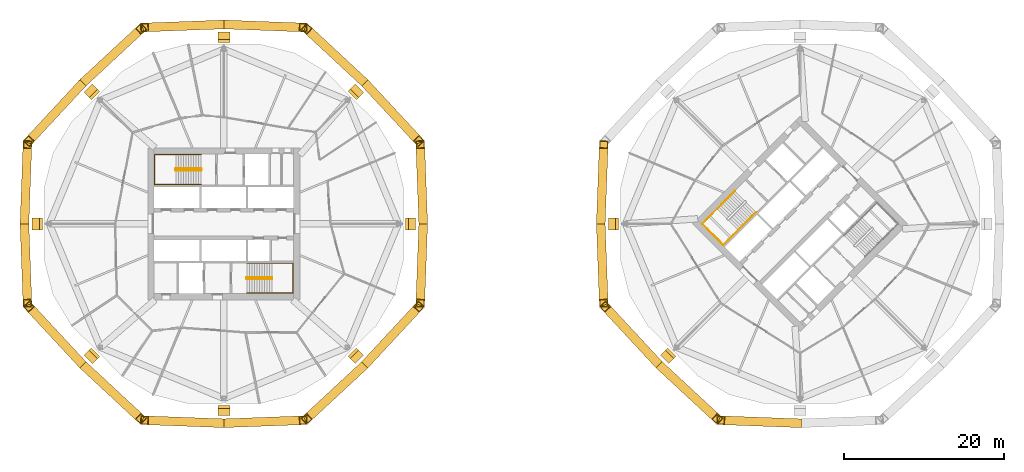
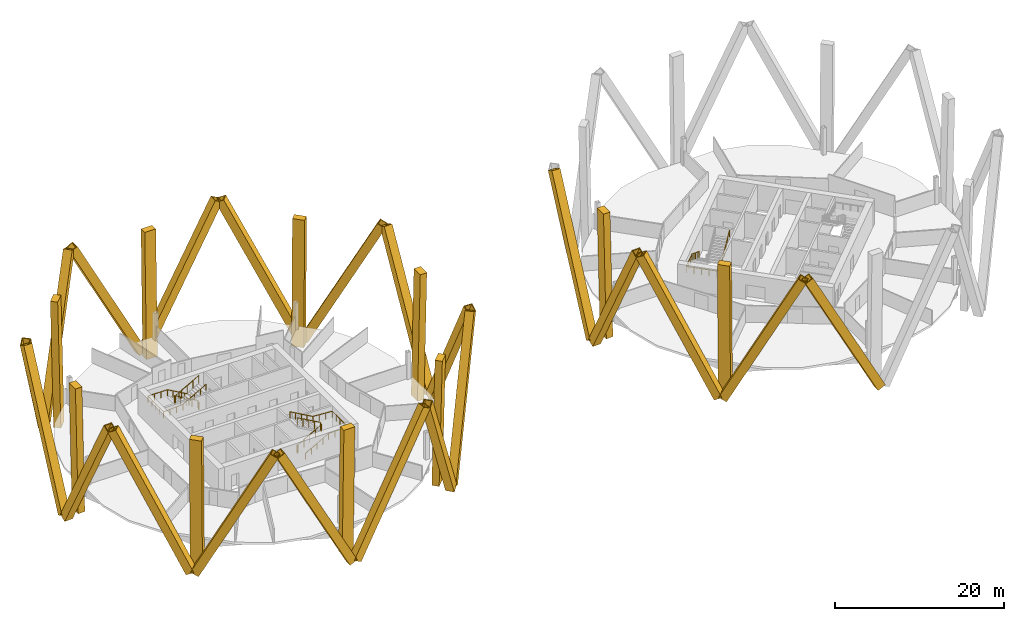
# One storey, part 9 of 10: 31 coverings, 5 railings.
"""IFC4 building model written with IfcOpenShell, lengths in metres."""

from ifc_helpers import new_model, si_unit, direction, frame, origin, origin_2d, place, context, subcontext, project, spatial, rectangle, hollow_rectangle, circle, extrude, material, material_profile, profile_set, type_object, element, save


model = new_model("IFC4")

# Units and contexts
model_context = context("Model", 3, precision=1e-05, world=origin(), true_north=direction((0.0, 1.0)))
body_context = subcontext(model_context, "Body", "Model", "MODEL_VIEW")
ifc_project = project(units=[si_unit("LENGTHUNIT", "METRE"), si_unit("AREAUNIT", "SQUARE_METRE"), si_unit("VOLUMEUNIT", "CUBIC_METRE"), si_unit("PLANEANGLEUNIT", "RADIAN"), si_unit("MASSUNIT", "GRAM", prefix="KILO")], contexts=[model_context])

# Site, building, storey
site_placement = place(None, origin())
site = spatial("IfcSite", under=ifc_project, at=site_placement, CompositionType="ELEMENT")
building_placement = place(site_placement, origin())
building = spatial("IfcBuilding", under=site, at=building_placement, Name="Ogive Gate Towers", CompositionType="ELEMENT")
storey_placement = place(building_placement, frame((0.0, 0.0, 36.300048828125)))
storey = spatial("IfcBuildingStorey", under=building, at=storey_placement, Name="L07", CompositionType="ELEMENT", Elevation=36.300048828125)

# Coverings
ifc_material_1 = material(Name="Pale metal aluminium", Category="aluminium")
ifc_material_profile_1 = material_profile(ifc_material_1, rectangle(XDim=1.5, YDim=0.89990234375, at=origin_2d()), Name="1500 x 900 pale metal aluminium")
ifc_profile_set_1 = profile_set([ifc_material_profile_1], Name="Pale metal aluminium")
covering_type_1 = type_object("IfcCoveringType", Name="Crease colonnette 1500 x 900", PredefinedType="CLADDING", material=ifc_profile_set_1)
for number, where, z_axis, x_axis, name in (
    (1, (-12.8798828125, 0.0, -3.199951171875), (0.021536204679, 0.0, 0.999768069048), (0.0, 1.0, 0.0), "Crease colonnette"),
    (2, (-19.651611328125, 16.348388671875, -3.199951171875), (0.01522503292, 0.01522503292, 0.9997681715), (-0.707106781187, 0.707106781187, 0.0), "Crease colonnette"),
    (3, (-36.0, 23.1201171875, -3.199951171875), (0.0, 0.021536204679, 0.999768069048), (-1.0, 0.0, 0.0), "Crease colonnette"),
    (4, (-52.348388671875, 16.348388671875, -3.199951171875), (-0.01522503292, 0.01522503292, 0.9997681715), (-0.707106781187, -0.707106781187, 0.0), "Crease colonnette"),
    (5, (-59.1201171875, 0.0, -3.199951171875), (-0.021536204679, 0.0, 0.999768069048), (0.0, -1.0, 0.0), "Crease colonnette"),
    (6, (-52.348388671875, -16.348388671875, -3.199951171875), (-0.01522503292, -0.01522503292, 0.9997681715), (0.707106781187, -0.707106781187, 0.0), "Crease colonnette"),
    (7, (-36.0, -23.1201171875, -3.199951171875), (0.0, -0.021536204679, 0.999768069048), (1.0, 0.0, 0.0), "Crease colonnette"),
    (8, (-19.651611328125, -16.348388671875, -3.199951171875), (0.01522503292, -0.01522503292, 0.9997681715), (0.707106781187, 0.707106781187, 0.0), "Crease colonnette"),
    (9, (12.8798828125, 0.0, -3.199951171875), (-0.021536204679, 0.0, 0.999768069048), (0.0, -1.0, 0.0), "Crease colonnette"),
    (10, (19.651611328125, -16.348388671875, -3.199951171875), (-0.01522503292, -0.01522503292, 0.9997681715), (0.707106781187, -0.707106781187, 0.0), "Crease colonnette"),
):
    element("IfcCovering", number, at=place(storey_placement, frame(where, z_axis=z_axis, x_axis=x_axis)), inside=storey, type_object=covering_type_1, Name=name, PredefinedType="CLADDING", context=body_context, shape_type="SweptSolid", body=[
        extrude(rectangle(XDim=1.5, YDim=0.89990234375, at=origin_2d()), origin(), (0.0, 0.0, 1.0), 18.10400390625),
    ])
ifc_material_2 = material(Name="Pale metal aluminium cladding", Category="aluminium")
ifc_material_profile_2 = material_profile(ifc_material_2, hollow_rectangle(XDim=1.10009765625, YDim=1.10009765625, WallThickness=0.10009765625, at=origin_2d()), Name="1100 x 1100 pale metal casing")
ifc_profile_set_2 = profile_set([ifc_material_profile_2], Name="Pale metal aluminium cladding")
covering_type_2 = type_object("IfcCoveringType", Name="Diagrid casing 1100 x 1100", PredefinedType="CLADDING", material=ifc_profile_set_2)
for number, where, z_axis, x_axis, name in (
    (11, (-11.099609375, -0.254150390625, -3.412353515625), (-0.017318884617, -0.462000529316, 0.886710531768), (0.999298112562, -0.037460408833, 0.0), "Diagrid casing"),
    (12, (-11.099609375, 0.254150390625, -3.412353515625), (-0.017318884617, 0.462000529316, 0.886710531768), (-0.999298112562, -0.037460408833, 0.0), "Diagrid casing"),
):
    element("IfcCovering", number, at=place(storey_placement, frame(where, z_axis=z_axis, x_axis=x_axis)), inside=storey, type_object=covering_type_2, Name=name, PredefinedType="CLADDING", context=body_context, shape_type="SweptSolid", body=[
        extrude(hollow_rectangle(XDim=1.10009765625, YDim=1.10009765625, WallThickness=0.10009765625, at=origin_2d()), origin(), (0.0, 0.0, 1.0), 20.891357421875),
    ])
for number, where, z_axis, x_axis, name in (
    (13, (-18.213134765625, 17.427490234375, -3.412353515625), (0.314449372476, -0.338931735913, 0.886705627895), (0.733087805091, 0.680134008874, 0.0), "Diagrid casing"),
    (14, (-18.572509765625, 17.786865234375, -3.412353515625), (-0.338931735913, 0.314449372476, 0.886705627895), (-0.680134008874, -0.733087805091, 0.0), "Diagrid casing"),
):
    element("IfcCovering", number, at=place(storey_placement, frame(where, z_axis=z_axis, x_axis=x_axis)), inside=storey, type_object=covering_type_2, Name=name, PredefinedType="CLADDING", context=body_context, shape_type="SweptSolid", body=[
        extrude(hollow_rectangle(XDim=1.10009765625, YDim=1.10009765625, WallThickness=0.10009765625, at=origin_2d()), origin(), (0.0, 0.0, 1.0), 20.8916015625),
    ])
for number, where, z_axis, x_axis, name in (
    (15, (-35.745849609375, 24.900390625, -3.412353515625), (0.462000529316, -0.017318884617, 0.886710531768), (0.037460408833, 0.999298112562, 0.0), "Diagrid casing"),
    (16, (-36.254150390625, 24.900390625, -3.412353515625), (-0.462000529316, -0.017318884617, 0.886710531768), (0.037460408833, -0.999298112562, 0.0), "Diagrid casing"),
):
    element("IfcCovering", number, at=place(storey_placement, frame(where, z_axis=z_axis, x_axis=x_axis)), inside=storey, type_object=covering_type_2, Name=name, PredefinedType="CLADDING", context=body_context, shape_type="SweptSolid", body=[
        extrude(hollow_rectangle(XDim=1.10009765625, YDim=1.10009765625, WallThickness=0.10009765625, at=origin_2d()), origin(), (0.0, 0.0, 1.0), 20.891357421875),
    ])
for number, where, z_axis, x_axis, name in (
    (17, (-53.427490234375, 17.786865234375, -3.412353515625), (0.338931735913, 0.314449372476, 0.886705627895), (-0.680134008874, 0.733087805091, 0.0), "Diagrid casing"),
    (18, (-53.786865234375, 17.427490234375, -3.412353515625), (-0.314449372476, -0.338931735913, 0.886705627895), (0.733087805091, -0.680134008874, 0.0), "Diagrid casing"),
):
    element("IfcCovering", number, at=place(storey_placement, frame(where, z_axis=z_axis, x_axis=x_axis)), inside=storey, type_object=covering_type_2, Name=name, PredefinedType="CLADDING", context=body_context, shape_type="SweptSolid", body=[
        extrude(hollow_rectangle(XDim=1.10009765625, YDim=1.10009765625, WallThickness=0.10009765625, at=origin_2d()), origin(), (0.0, 0.0, 1.0), 20.8916015625),
    ])
for number, where, z_axis, x_axis, name in (
    (19, (-60.900390625, 0.254150390625, -3.412353515625), (0.017318884617, 0.462000529316, 0.886710531768), (-0.999298112562, 0.037460408833, 0.0), "Diagrid casing"),
    (20, (-60.900390625, -0.254150390625, -3.412353515625), (0.017318884617, -0.462000529316, 0.886710531768), (0.999298112562, 0.037460408833, 0.0), "Diagrid casing"),
):
    element("IfcCovering", number, at=place(storey_placement, frame(where, z_axis=z_axis, x_axis=x_axis)), inside=storey, type_object=covering_type_2, Name=name, PredefinedType="CLADDING", context=body_context, shape_type="SweptSolid", body=[
        extrude(hollow_rectangle(XDim=1.10009765625, YDim=1.10009765625, WallThickness=0.10009765625, at=origin_2d()), origin(), (0.0, 0.0, 1.0), 20.891357421875),
    ])
for number, where, z_axis, x_axis, name in (
    (21, (-53.786865234375, -17.427490234375, -3.412353515625), (-0.314449372476, 0.338931735913, 0.886705627895), (-0.733087805091, -0.680134008874, 0.0), "Diagrid casing"),
    (22, (-53.427490234375, -17.786865234375, -3.412353515625), (0.338931735913, -0.314449372476, 0.886705627895), (0.680134008874, 0.733087805091, 0.0), "Diagrid casing"),
):
    element("IfcCovering", number, at=place(storey_placement, frame(where, z_axis=z_axis, x_axis=x_axis)), inside=storey, type_object=covering_type_2, Name=name, PredefinedType="CLADDING", context=body_context, shape_type="SweptSolid", body=[
        extrude(hollow_rectangle(XDim=1.10009765625, YDim=1.10009765625, WallThickness=0.10009765625, at=origin_2d()), origin(), (0.0, 0.0, 1.0), 20.8916015625),
    ])
for number, where, z_axis, x_axis, name in (
    (23, (-36.254150390625, -24.900390625, -3.412353515625), (-0.462000529316, 0.017318884617, 0.886710531768), (-0.037460408833, -0.999298112562, 0.0), "Diagrid casing"),
    (24, (-35.745849609375, -24.900390625, -3.412353515625), (0.462000529316, 0.017318884617, 0.886710531768), (-0.037460408833, 0.999298112562, 0.0), "Diagrid casing"),
):
    element("IfcCovering", number, at=place(storey_placement, frame(where, z_axis=z_axis, x_axis=x_axis)), inside=storey, type_object=covering_type_2, Name=name, PredefinedType="CLADDING", context=body_context, shape_type="SweptSolid", body=[
        extrude(hollow_rectangle(XDim=1.10009765625, YDim=1.10009765625, WallThickness=0.10009765625, at=origin_2d()), origin(), (0.0, 0.0, 1.0), 20.891357421875),
    ])
for number, where, z_axis, x_axis, name in (
    (25, (-18.572509765625, -17.786865234375, -3.412353515625), (-0.338931735913, -0.314449372476, 0.886705627895), (0.680134008874, -0.733087805091, 0.0), "Diagrid casing"),
    (26, (-18.213134765625, -17.427490234375, -3.412353515625), (0.314449372476, 0.338931735913, 0.886705627895), (-0.733087805091, 0.680134008874, 0.0), "Diagrid casing"),
):
    element("IfcCovering", number, at=place(storey_placement, frame(where, z_axis=z_axis, x_axis=x_axis)), inside=storey, type_object=covering_type_2, Name=name, PredefinedType="CLADDING", context=body_context, shape_type="SweptSolid", body=[
        extrude(hollow_rectangle(XDim=1.10009765625, YDim=1.10009765625, WallThickness=0.10009765625, at=origin_2d()), origin(), (0.0, 0.0, 1.0), 20.8916015625),
    ])
for number, where, z_axis, x_axis, name in (
    (27, (11.099609375, 0.254150390625, -3.412353515625), (0.017318884617, 0.462000529316, 0.886710531768), (-0.999298112562, 0.037460408833, 0.0), "Diagrid casing"),
    (28, (11.099609375, -0.254150390625, -3.412353515625), (0.017318884617, -0.462000529316, 0.886710531768), (0.999298112562, 0.037460408833, 0.0), "Diagrid casing"),
):
    element("IfcCovering", number, at=place(storey_placement, frame(where, z_axis=z_axis, x_axis=x_axis)), inside=storey, type_object=covering_type_2, Name=name, PredefinedType="CLADDING", context=body_context, shape_type="SweptSolid", body=[
        extrude(hollow_rectangle(XDim=1.10009765625, YDim=1.10009765625, WallThickness=0.10009765625, at=origin_2d()), origin(), (0.0, 0.0, 1.0), 20.891357421875),
    ])
for number, where, z_axis, x_axis, name in (
    (29, (18.213134765625, -17.427490234375, -3.412353515625), (-0.314449372476, 0.338931735913, 0.886705627895), (-0.733087805091, -0.680134008874, 0.0), "Diagrid casing"),
    (30, (18.572509765625, -17.786865234375, -3.412353515625), (0.338931735913, -0.314449372476, 0.886705627895), (0.680134008874, 0.733087805091, 0.0), "Diagrid casing"),
):
    element("IfcCovering", number, at=place(storey_placement, frame(where, z_axis=z_axis, x_axis=x_axis)), inside=storey, type_object=covering_type_2, Name=name, PredefinedType="CLADDING", context=body_context, shape_type="SweptSolid", body=[
        extrude(hollow_rectangle(XDim=1.10009765625, YDim=1.10009765625, WallThickness=0.10009765625, at=origin_2d()), origin(), (0.0, 0.0, 1.0), 20.8916015625),
    ])
covering_placement = place(storey_placement, frame((35.745849609375, -24.900390625, -3.412353515625), z_axis=(-0.462000529316, 0.017318884617, 0.886710531768), x_axis=(-0.037460408833, -0.999298112562, 0.0)))
element("IfcCovering", 31, at=covering_placement, inside=storey, type_object=covering_type_2, Name="Diagrid casing", PredefinedType="CLADDING", context=body_context, shape_type="SweptSolid", body=[
    extrude(hollow_rectangle(XDim=1.10009765625, YDim=1.10009765625, WallThickness=0.10009765625, at=origin_2d()), origin(), (0.0, 0.0, 1.0), 20.891357421875),
])

# Railings
ifc_material_3 = material(Name="Stainless steel", Category="steel")
railing_type_1 = type_object("IfcRailingType", Name="Stair guard 1100", PredefinedType="GUARDRAIL", material=ifc_material_3)
railing_1_placement = place(storey_placement, frame((-38.81494140625, 6.860107421875, 0.0)))
element("IfcRailing", 32, at=railing_1_placement, inside=storey, type_object=railing_type_1, Name="L07 ST1 stair guard 1", PredefinedType="GUARDRAIL", context=body_context, shape_type="SweptSolid", body=[
    extrude(circle(Radius=0.02392578125, at=origin_2d()), frame((0.0, 0.0, 1.076171875), z_axis=(0.0, -1.0, 0.0), x_axis=(1.0, 0.0, 0.0)), (0.0, 0.0, 1.0), 0.14501953125),
    extrude(circle(Radius=0.02392578125, at=origin_2d()), frame((0.0, -0.14501953125, 1.076171875), z_axis=(-0.186679794065, 0.726685247142, 0.661119660934), x_axis=(-0.968551454522, -0.24881334358, 0.0)), (0.0, 0.0, 1.0), 0.26806640625),
    extrude(circle(Radius=0.02392578125, at=origin_2d()), frame((-0.050048828125, 0.0498046875, 1.25341796875), z_axis=(-0.870572935281, 0.0, 0.492039393094), x_axis=(0.0, -1.0, 0.0)), (0.0, 0.0, 1.0), 3.602783203125),
    extrude(circle(Radius=0.02392578125, at=origin_2d()), frame((-3.1865234375, 0.0498046875, 3.02587890625), z_axis=(-0.707106781187, -0.707106781187, 0.0), x_axis=(0.707106781187, -0.707106781187, 0.0)), (0.0, 0.0, 1.0), 0.0703125),
    extrude(circle(Radius=0.02392578125, at=origin_2d()), frame((-3.236328125, 0.0, 3.02587890625), z_axis=(0.0, -1.0, 0.0), x_axis=(1.0, 0.0, 0.0)), (0.0, 0.0, 1.0), 0.14501953125),
    extrude(circle(Radius=0.02392578125, at=origin_2d()), frame((-3.236328125, -0.14501953125, 3.02587890625), z_axis=(0.261041864531, -0.262321481514, 0.929001929653), x_axis=(0.708833529934, 0.705375805398, 0.0)), (0.0, 0.0, 1.0), 0.190673828125),
    extrude(circle(Radius=0.02392578125, at=origin_2d()), frame((-3.1865234375, -0.195068359375, 3.203125), z_axis=(0.870572935281, 0.0, 0.492039393094), x_axis=(0.0, 1.0, 0.0)), (0.0, 0.0, 1.0), 3.602783203125),
    extrude(circle(Radius=0.02099609375, at=origin_2d()), origin(), (0.0, 0.0, 1.0), 1.052001953125),
    extrude(circle(Radius=0.02099609375, at=origin_2d()), frame((0.0, -0.14501953125, 0.0)), (0.0, 0.0, 1.0), 1.052001953125),
    extrude(circle(Radius=0.02099609375, at=origin_2d()), frame((-0.050048828125, 0.0498046875, 0.17724609375)), (0.0, 0.0, 1.0), 1.052001953125),
    extrude(circle(Radius=0.02099609375, at=origin_2d()), frame((-0.834228515625, 0.0498046875, 0.620361328125)), (0.0, 0.0, 1.0), 1.052001953125),
    extrude(circle(Radius=0.02099609375, at=origin_2d()), frame((-1.6181640625, 0.0498046875, 1.0634765625)), (0.0, 0.0, 1.0), 1.052001953125),
    extrude(circle(Radius=0.02099609375, at=origin_2d()), frame((-2.40234375, 0.0498046875, 1.5068359375)), (0.0, 0.0, 1.0), 1.052001953125),
    extrude(circle(Radius=0.02099609375, at=origin_2d()), frame((-3.1865234375, 0.0498046875, 1.949951171875)), (0.0, 0.0, 1.0), 1.052001953125),
    extrude(circle(Radius=0.02099609375, at=origin_2d()), frame((-3.236328125, 0.0, 1.949951171875)), (0.0, 0.0, 1.0), 1.052001953125),
    extrude(circle(Radius=0.02099609375, at=origin_2d()), frame((-3.236328125, -0.14501953125, 1.949951171875)), (0.0, 0.0, 1.0), 1.052001953125),
    extrude(circle(Radius=0.02099609375, at=origin_2d()), frame((-3.1865234375, -0.195068359375, 2.127197265625)), (0.0, 0.0, 1.0), 1.052001953125),
    extrude(circle(Radius=0.02099609375, at=origin_2d()), frame((-2.40234375, -0.195068359375, 2.5703125)), (0.0, 0.0, 1.0), 1.052001953125),
    extrude(circle(Radius=0.02099609375, at=origin_2d()), frame((-1.6181640625, -0.195068359375, 3.013671875)), (0.0, 0.0, 1.0), 1.052001953125),
    extrude(circle(Radius=0.02099609375, at=origin_2d()), frame((-0.834228515625, -0.195068359375, 3.456787109375)), (0.0, 0.0, 1.0), 1.052001953125),
    extrude(circle(Radius=0.02099609375, at=origin_2d()), frame((-0.050048828125, -0.195068359375, 3.89990234375)), (0.0, 0.0, 1.0), 1.052001953125),
])
railing_2_placement = place(storey_placement, frame((-33.18505859375, -6.860107421875, 0.0)))
element("IfcRailing", 33, at=railing_2_placement, inside=storey, type_object=railing_type_1, Name="L07 ST2 stair guard 1", PredefinedType="GUARDRAIL", context=body_context, shape_type="SweptSolid", body=[
    extrude(circle(Radius=0.02392578125, at=origin_2d()), frame((0.0, 0.0, 1.076171875), z_axis=(0.0, 1.0, 0.0), x_axis=(-1.0, 0.0, 0.0)), (0.0, 0.0, 1.0), 0.14501953125),
    extrude(circle(Radius=0.02392578125, at=origin_2d()), frame((0.0, 0.14501953125, 1.076171875), z_axis=(0.186679794065, -0.726685247142, 0.661119660934), x_axis=(0.968551454522, 0.24881334358, 0.0)), (0.0, 0.0, 1.0), 0.26806640625),
    extrude(circle(Radius=0.02392578125, at=origin_2d()), frame((0.050048828125, -0.0498046875, 1.25341796875), z_axis=(0.870572935281, 0.0, 0.492039393094), x_axis=(0.0, 1.0, 0.0)), (0.0, 0.0, 1.0), 3.602783203125),
    extrude(circle(Radius=0.02392578125, at=origin_2d()), frame((3.1865234375, -0.0498046875, 3.02587890625), z_axis=(0.707106781187, 0.707106781187, 0.0), x_axis=(-0.707106781187, 0.707106781187, 0.0)), (0.0, 0.0, 1.0), 0.0703125),
    extrude(circle(Radius=0.02392578125, at=origin_2d()), frame((3.236328125, 0.0, 3.02587890625), z_axis=(0.0, 1.0, 0.0), x_axis=(-1.0, 0.0, 0.0)), (0.0, 0.0, 1.0), 0.14501953125),
    extrude(circle(Radius=0.02392578125, at=origin_2d()), frame((3.236328125, 0.14501953125, 3.02587890625), z_axis=(-0.261041864531, 0.262321481514, 0.929001929653), x_axis=(-0.708833529934, -0.705375805398, 0.0)), (0.0, 0.0, 1.0), 0.190673828125),
    extrude(circle(Radius=0.02392578125, at=origin_2d()), frame((3.1865234375, 0.195068359375, 3.203125), z_axis=(-0.870572935281, 0.0, 0.492039393094), x_axis=(0.0, -1.0, 0.0)), (0.0, 0.0, 1.0), 3.602783203125),
    extrude(circle(Radius=0.02099609375, at=origin_2d()), origin(), (0.0, 0.0, 1.0), 1.052001953125),
    extrude(circle(Radius=0.02099609375, at=origin_2d()), frame((0.0, 0.14501953125, 0.0)), (0.0, 0.0, 1.0), 1.052001953125),
    extrude(circle(Radius=0.02099609375, at=origin_2d()), frame((0.050048828125, -0.0498046875, 0.17724609375)), (0.0, 0.0, 1.0), 1.052001953125),
    extrude(circle(Radius=0.02099609375, at=origin_2d()), frame((0.834228515625, -0.0498046875, 0.620361328125)), (0.0, 0.0, 1.0), 1.052001953125),
    extrude(circle(Radius=0.02099609375, at=origin_2d()), frame((1.6181640625, -0.0498046875, 1.0634765625)), (0.0, 0.0, 1.0), 1.052001953125),
    extrude(circle(Radius=0.02099609375, at=origin_2d()), frame((2.40234375, -0.0498046875, 1.5068359375)), (0.0, 0.0, 1.0), 1.052001953125),
    extrude(circle(Radius=0.02099609375, at=origin_2d()), frame((3.1865234375, -0.0498046875, 1.949951171875)), (0.0, 0.0, 1.0), 1.052001953125),
    extrude(circle(Radius=0.02099609375, at=origin_2d()), frame((3.236328125, 0.0, 1.949951171875)), (0.0, 0.0, 1.0), 1.052001953125),
    extrude(circle(Radius=0.02099609375, at=origin_2d()), frame((3.236328125, 0.14501953125, 1.949951171875)), (0.0, 0.0, 1.0), 1.052001953125),
    extrude(circle(Radius=0.02099609375, at=origin_2d()), frame((3.1865234375, 0.195068359375, 2.127197265625)), (0.0, 0.0, 1.0), 1.052001953125),
    extrude(circle(Radius=0.02099609375, at=origin_2d()), frame((2.40234375, 0.195068359375, 2.5703125)), (0.0, 0.0, 1.0), 1.052001953125),
    extrude(circle(Radius=0.02099609375, at=origin_2d()), frame((1.6181640625, 0.195068359375, 3.013671875)), (0.0, 0.0, 1.0), 1.052001953125),
    extrude(circle(Radius=0.02099609375, at=origin_2d()), frame((0.834228515625, 0.195068359375, 3.456787109375)), (0.0, 0.0, 1.0), 1.052001953125),
    extrude(circle(Radius=0.02099609375, at=origin_2d()), frame((0.050048828125, 0.195068359375, 3.89990234375)), (0.0, 0.0, 1.0), 1.052001953125),
])
railing_type_2 = type_object("IfcRailingType", Name="Stair handrail 900", PredefinedType="HANDRAIL", material=ifc_material_3)
railing_3_placement = place(storey_placement, frame((-38.864990234375, 8.64990234375, 0.17724609375)))
element("IfcRailing", 34, at=railing_3_placement, inside=storey, type_object=railing_type_2, Name="L07 ST1 stair handrail 1", PredefinedType="HANDRAIL", context=body_context, shape_type="SweptSolid", body=[
    extrude(circle(Radius=0.02392578125, at=origin_2d()), frame((0.0, 0.0, 0.8759765625), z_axis=(-0.870572935281, 0.0, 0.492039393094), x_axis=(0.0, -1.0, 0.0)), (0.0, 0.0, 1.0), 3.602783203125),
    extrude(circle(Radius=0.02392578125, at=origin_2d()), frame((-3.136474609375, 0.0, 2.6484375), z_axis=(-1.0, 0.0, 0.0), x_axis=(0.0, -1.0, 0.0)), (0.0, 0.0, 1.0), 2.6484375),
    extrude(circle(Radius=0.02392578125, at=origin_2d()), frame((-5.784912109375, 0.0, 2.6484375), z_axis=(0.0, -1.0, 0.0), x_axis=(1.0, 0.0, 0.0)), (0.0, 0.0, 1.0), 3.724853515625),
    extrude(circle(Radius=0.02392578125, at=origin_2d()), frame((-5.784912109375, -3.724853515625, 2.6484375), z_axis=(0.997768031817, 0.0, 0.066775404784), x_axis=(0.0, 1.0, 0.0)), (0.0, 0.0, 1.0), 2.654296875),
    extrude(circle(Radius=0.02392578125, at=origin_2d()), frame((-3.136474609375, -3.724853515625, 2.82568359375), z_axis=(0.870572935281, 0.0, 0.492039393094), x_axis=(0.0, 1.0, 0.0)), (0.0, 0.0, 1.0), 3.602783203125),
    extrude(circle(Radius=0.02099609375, at=origin_2d()), origin(), (0.0, 0.0, 1.0), 0.851806640625),
    extrude(circle(Radius=0.02099609375, at=origin_2d()), frame((-0.7841796875, 0.0, 0.443115234375)), (0.0, 0.0, 1.0), 0.851806640625),
    extrude(circle(Radius=0.02099609375, at=origin_2d()), frame((-1.568359375, 0.0, 0.88623046875)), (0.0, 0.0, 1.0), 0.851806640625),
    extrude(circle(Radius=0.02099609375, at=origin_2d()), frame((-2.352294921875, 0.0, 1.32958984375)), (0.0, 0.0, 1.0), 0.851806640625),
    extrude(circle(Radius=0.02099609375, at=origin_2d()), frame((-3.136474609375, 0.0, 1.772705078125)), (0.0, 0.0, 1.0), 0.851806640625),
    extrude(circle(Radius=0.02099609375, at=origin_2d()), frame((-4.019287109375, 0.0, 1.772705078125)), (0.0, 0.0, 1.0), 0.851806640625),
    extrude(circle(Radius=0.02099609375, at=origin_2d()), frame((-4.902099609375, 0.0, 1.772705078125)), (0.0, 0.0, 1.0), 0.851806640625),
    extrude(circle(Radius=0.02099609375, at=origin_2d()), frame((-5.784912109375, 0.0, 1.772705078125)), (0.0, 0.0, 1.0), 0.851806640625),
    extrude(circle(Radius=0.02099609375, at=origin_2d()), frame((-5.784912109375, -0.93115234375, 1.772705078125)), (0.0, 0.0, 1.0), 0.851806640625),
    extrude(circle(Radius=0.02099609375, at=origin_2d()), frame((-5.784912109375, -1.8623046875, 1.772705078125)), (0.0, 0.0, 1.0), 0.851806640625),
    extrude(circle(Radius=0.02099609375, at=origin_2d()), frame((-5.784912109375, -2.793701171875, 1.772705078125)), (0.0, 0.0, 1.0), 0.851806640625),
    extrude(circle(Radius=0.02099609375, at=origin_2d()), frame((-5.784912109375, -3.724853515625, 1.772705078125)), (0.0, 0.0, 1.0), 0.851806640625),
    extrude(circle(Radius=0.02099609375, at=origin_2d()), frame((-4.902099609375, -3.724853515625, 1.831787109375)), (0.0, 0.0, 1.0), 0.851806640625),
    extrude(circle(Radius=0.02099609375, at=origin_2d()), frame((-4.019287109375, -3.724853515625, 1.890869140625)), (0.0, 0.0, 1.0), 0.851806640625),
    extrude(circle(Radius=0.02099609375, at=origin_2d()), frame((-3.136474609375, -3.724853515625, 1.949951171875)), (0.0, 0.0, 1.0), 0.851806640625),
    extrude(circle(Radius=0.02099609375, at=origin_2d()), frame((-2.352294921875, -3.724853515625, 2.39306640625)), (0.0, 0.0, 1.0), 0.851806640625),
    extrude(circle(Radius=0.02099609375, at=origin_2d()), frame((-1.568359375, -3.724853515625, 2.83642578125)), (0.0, 0.0, 1.0), 0.851806640625),
    extrude(circle(Radius=0.02099609375, at=origin_2d()), frame((-0.7841796875, -3.724853515625, 3.279541015625)), (0.0, 0.0, 1.0), 0.851806640625),
    extrude(circle(Radius=0.02099609375, at=origin_2d()), frame((0.0, -3.724853515625, 3.72265625)), (0.0, 0.0, 1.0), 0.851806640625),
])
railing_4_placement = place(storey_placement, frame((-33.135009765625, -8.64990234375, 0.17724609375)))
element("IfcRailing", 35, at=railing_4_placement, inside=storey, type_object=railing_type_2, Name="L07 ST2 stair handrail 1", PredefinedType="HANDRAIL", context=body_context, shape_type="SweptSolid", body=[
    extrude(circle(Radius=0.02392578125, at=origin_2d()), frame((0.0, 0.0, 0.8759765625), z_axis=(0.870572935281, 0.0, 0.492039393094), x_axis=(0.0, 1.0, 0.0)), (0.0, 0.0, 1.0), 3.602783203125),
    extrude(circle(Radius=0.02392578125, at=origin_2d()), frame((3.136474609375, 0.0, 2.6484375), z_axis=(1.0, 0.0, 0.0), x_axis=(0.0, 1.0, 0.0)), (0.0, 0.0, 1.0), 2.6484375),
    extrude(circle(Radius=0.02392578125, at=origin_2d()), frame((5.784912109375, 0.0, 2.6484375), z_axis=(0.0, 1.0, 0.0), x_axis=(-1.0, 0.0, 0.0)), (0.0, 0.0, 1.0), 3.724853515625),
    extrude(circle(Radius=0.02392578125, at=origin_2d()), frame((5.784912109375, 3.724853515625, 2.6484375), z_axis=(-0.997768031817, 0.0, 0.066775404784), x_axis=(0.0, -1.0, 0.0)), (0.0, 0.0, 1.0), 2.654296875),
    extrude(circle(Radius=0.02392578125, at=origin_2d()), frame((3.136474609375, 3.724853515625, 2.82568359375), z_axis=(-0.870572935281, 0.0, 0.492039393094), x_axis=(0.0, -1.0, 0.0)), (0.0, 0.0, 1.0), 3.602783203125),
    extrude(circle(Radius=0.02099609375, at=origin_2d()), origin(), (0.0, 0.0, 1.0), 0.851806640625),
    extrude(circle(Radius=0.02099609375, at=origin_2d()), frame((0.7841796875, 0.0, 0.443115234375)), (0.0, 0.0, 1.0), 0.851806640625),
    extrude(circle(Radius=0.02099609375, at=origin_2d()), frame((1.568359375, 0.0, 0.88623046875)), (0.0, 0.0, 1.0), 0.851806640625),
    extrude(circle(Radius=0.02099609375, at=origin_2d()), frame((2.352294921875, 0.0, 1.32958984375)), (0.0, 0.0, 1.0), 0.851806640625),
    extrude(circle(Radius=0.02099609375, at=origin_2d()), frame((3.136474609375, 0.0, 1.772705078125)), (0.0, 0.0, 1.0), 0.851806640625),
    extrude(circle(Radius=0.02099609375, at=origin_2d()), frame((4.019287109375, 0.0, 1.772705078125)), (0.0, 0.0, 1.0), 0.851806640625),
    extrude(circle(Radius=0.02099609375, at=origin_2d()), frame((4.902099609375, 0.0, 1.772705078125)), (0.0, 0.0, 1.0), 0.851806640625),
    extrude(circle(Radius=0.02099609375, at=origin_2d()), frame((5.784912109375, 0.0, 1.772705078125)), (0.0, 0.0, 1.0), 0.851806640625),
    extrude(circle(Radius=0.02099609375, at=origin_2d()), frame((5.784912109375, 0.93115234375, 1.772705078125)), (0.0, 0.0, 1.0), 0.851806640625),
    extrude(circle(Radius=0.02099609375, at=origin_2d()), frame((5.784912109375, 1.8623046875, 1.772705078125)), (0.0, 0.0, 1.0), 0.851806640625),
    extrude(circle(Radius=0.02099609375, at=origin_2d()), frame((5.784912109375, 2.793701171875, 1.772705078125)), (0.0, 0.0, 1.0), 0.851806640625),
    extrude(circle(Radius=0.02099609375, at=origin_2d()), frame((5.784912109375, 3.724853515625, 1.772705078125)), (0.0, 0.0, 1.0), 0.851806640625),
    extrude(circle(Radius=0.02099609375, at=origin_2d()), frame((4.902099609375, 3.724853515625, 1.831787109375)), (0.0, 0.0, 1.0), 0.851806640625),
    extrude(circle(Radius=0.02099609375, at=origin_2d()), frame((4.019287109375, 3.724853515625, 1.890869140625)), (0.0, 0.0, 1.0), 0.851806640625),
    extrude(circle(Radius=0.02099609375, at=origin_2d()), frame((3.136474609375, 3.724853515625, 1.949951171875)), (0.0, 0.0, 1.0), 0.851806640625),
    extrude(circle(Radius=0.02099609375, at=origin_2d()), frame((2.352294921875, 3.724853515625, 2.39306640625)), (0.0, 0.0, 1.0), 0.851806640625),
    extrude(circle(Radius=0.02099609375, at=origin_2d()), frame((1.568359375, 3.724853515625, 2.83642578125)), (0.0, 0.0, 1.0), 0.851806640625),
    extrude(circle(Radius=0.02099609375, at=origin_2d()), frame((0.7841796875, 3.724853515625, 3.279541015625)), (0.0, 0.0, 1.0), 0.851806640625),
    extrude(circle(Radius=0.02099609375, at=origin_2d()), frame((0.0, 3.724853515625, 3.72265625)), (0.0, 0.0, 1.0), 0.851806640625),
])
railing_5_placement = place(storey_placement, frame((27.857666015625, 4.090576171875, 0.17724609375)))
element("IfcRailing", 36, at=railing_5_placement, inside=storey, type_object=railing_type_2, Name="L07 ST1 stair handrail 1", PredefinedType="HANDRAIL", context=body_context, shape_type="SweptSolid", body=[
    extrude(circle(Radius=0.02392578125, at=origin_2d()), frame((0.0, 0.0, 0.8759765625), z_axis=(-0.61558473135, -0.61558473135, 0.49204763698), x_axis=(0.707106781187, -0.707106781187, 0.0)), (0.0, 0.0, 1.0), 3.602783203125),
    extrude(circle(Radius=0.02392578125, at=origin_2d()), frame((-2.2177734375, -2.2177734375, 2.6484375), z_axis=(-0.707106781187, -0.707106781187, 0.0), x_axis=(0.707106781187, -0.707106781187, 0.0)), (0.0, 0.0, 1.0), 2.6484375),
    extrude(circle(Radius=0.02392578125, at=origin_2d()), frame((-4.090576171875, -4.090576171875, 2.6484375), z_axis=(0.707106781187, -0.707106781187, 0.0), x_axis=(0.707106781187, 0.707106781187, 0.0)), (0.0, 0.0, 1.0), 3.72509765625),
    extrude(circle(Radius=0.02392578125, at=origin_2d()), frame((-1.45654296875, -6.724609375, 2.6484375), z_axis=(0.705482886452, 0.705574853978, 0.066768423356), x_axis=(-0.70715286629, 0.70706069308, 0.0)), (0.0, 0.0, 1.0), 2.654541015625),
    extrude(circle(Radius=0.02392578125, at=origin_2d()), frame((0.416259765625, -4.8515625, 2.82568359375), z_axis=(0.615610411033, 0.615542642384, 0.4920681632), x_axis=(-0.70706785752, 0.70714570271, 0.0)), (0.0, 0.0, 1.0), 3.6025390625),
    extrude(circle(Radius=0.02099609375, at=origin_2d()), origin(), (0.0, 0.0, 1.0), 0.851806640625),
    extrude(circle(Radius=0.02099609375, at=origin_2d()), frame((-0.554443359375, -0.554443359375, 0.443115234375)), (0.0, 0.0, 1.0), 0.851806640625),
    extrude(circle(Radius=0.02099609375, at=origin_2d()), frame((-1.10888671875, -1.10888671875, 0.88623046875)), (0.0, 0.0, 1.0), 0.851806640625),
    extrude(circle(Radius=0.02099609375, at=origin_2d()), frame((-1.663330078125, -1.663330078125, 1.32958984375)), (0.0, 0.0, 1.0), 0.851806640625),
    extrude(circle(Radius=0.02099609375, at=origin_2d()), frame((-2.2177734375, -2.2177734375, 1.772705078125)), (0.0, 0.0, 1.0), 0.851806640625),
    extrude(circle(Radius=0.02099609375, at=origin_2d()), frame((-2.842041015625, -2.842041015625, 1.772705078125)), (0.0, 0.0, 1.0), 0.851806640625),
    extrude(circle(Radius=0.02099609375, at=origin_2d()), frame((-3.46630859375, -3.46630859375, 1.772705078125)), (0.0, 0.0, 1.0), 0.851806640625),
    extrude(circle(Radius=0.02099609375, at=origin_2d()), frame((-4.090576171875, -4.090576171875, 1.772705078125)), (0.0, 0.0, 1.0), 0.851806640625),
    extrude(circle(Radius=0.02099609375, at=origin_2d()), frame((-3.43212890625, -4.7490234375, 1.772705078125)), (0.0, 0.0, 1.0), 0.851806640625),
    extrude(circle(Radius=0.02099609375, at=origin_2d()), frame((-2.7734375, -5.40771484375, 1.772705078125)), (0.0, 0.0, 1.0), 0.851806640625),
    extrude(circle(Radius=0.02099609375, at=origin_2d()), frame((-2.114990234375, -6.066162109375, 1.772705078125)), (0.0, 0.0, 1.0), 0.851806640625),
    extrude(circle(Radius=0.02099609375, at=origin_2d()), frame((-1.45654296875, -6.724609375, 1.772705078125)), (0.0, 0.0, 1.0), 0.851806640625),
    extrude(circle(Radius=0.02099609375, at=origin_2d()), frame((-0.832275390625, -6.100341796875, 1.831787109375)), (0.0, 0.0, 1.0), 0.851806640625),
    extrude(circle(Radius=0.02099609375, at=origin_2d()), frame((-0.2080078125, -5.475830078125, 1.890869140625)), (0.0, 0.0, 1.0), 0.851806640625),
    extrude(circle(Radius=0.02099609375, at=origin_2d()), frame((0.416259765625, -4.8515625, 1.949951171875)), (0.0, 0.0, 1.0), 0.851806640625),
    extrude(circle(Radius=0.02099609375, at=origin_2d()), frame((0.970703125, -4.297119140625, 2.39306640625)), (0.0, 0.0, 1.0), 0.851806640625),
    extrude(circle(Radius=0.02099609375, at=origin_2d()), frame((1.525146484375, -3.74267578125, 2.83642578125)), (0.0, 0.0, 1.0), 0.851806640625),
    extrude(circle(Radius=0.02099609375, at=origin_2d()), frame((2.07958984375, -3.1884765625, 3.279541015625)), (0.0, 0.0, 1.0), 0.851806640625),
    extrude(circle(Radius=0.02099609375, at=origin_2d()), frame((2.634033203125, -2.634033203125, 3.72265625)), (0.0, 0.0, 1.0), 0.851806640625),
])

save(model, "model.ifc")
